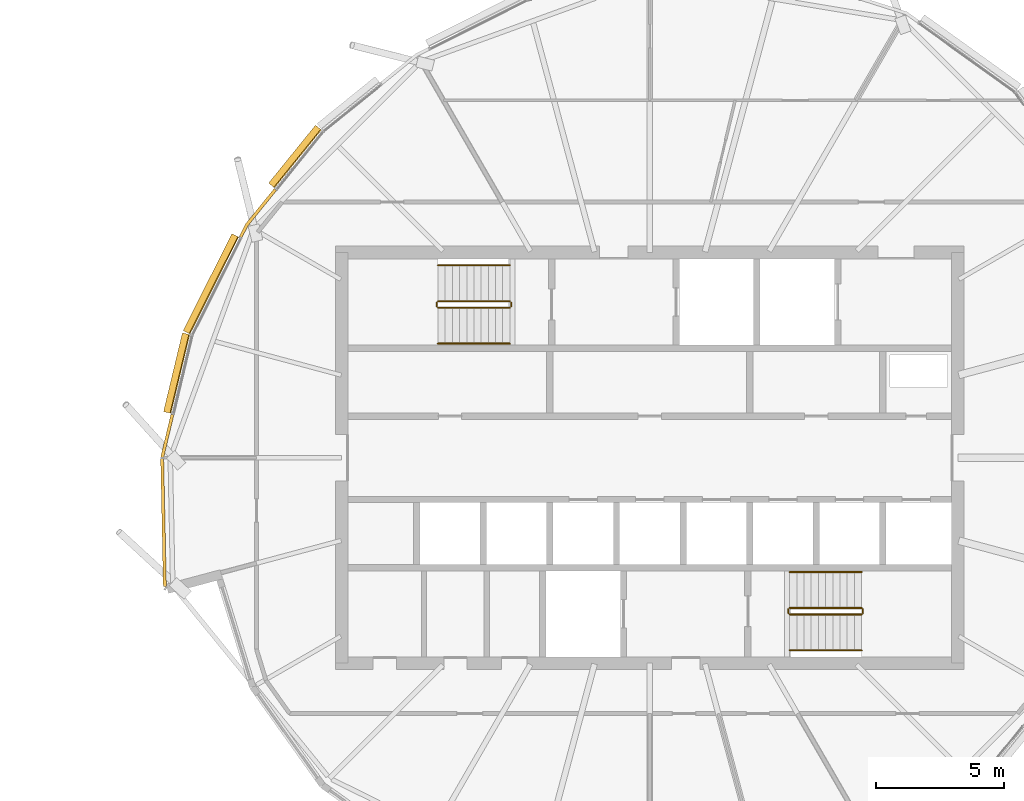
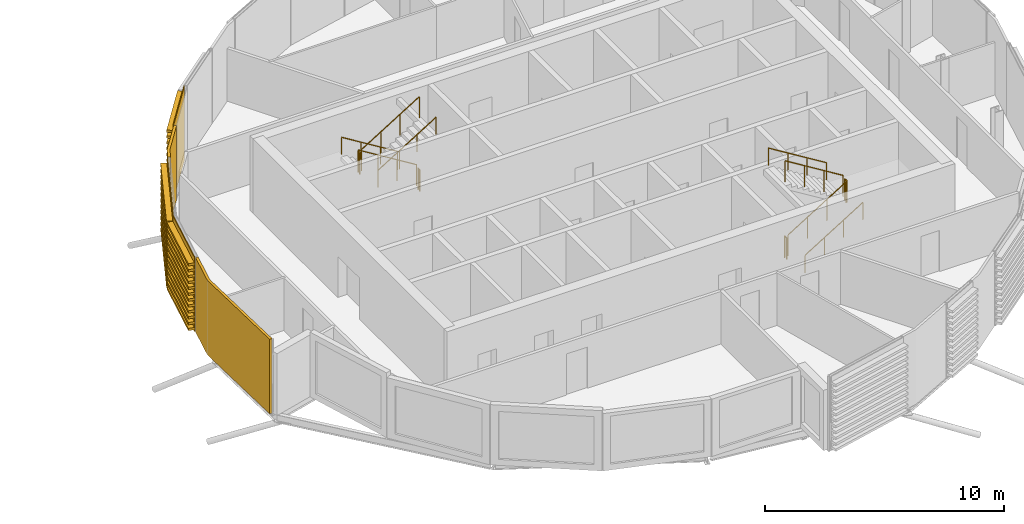
# One storey, part 33 of 34: 12 railings, 5 coverings.
"""IFC4 building model written with IfcOpenShell, lengths in metres."""

from ifc_helpers import new_model, si_unit, direction, frame, origin, origin_2d, place, context, subcontext, project, spatial, polyline, circle, outline, extrude, material, layer, layer_set, material_profile, profile_set, type_object, element, save


model = new_model("IFC4")

# Units and contexts
model_context = context("Model", 3, precision=1e-05, world=origin(), true_north=direction((0.0, 1.0)))
body_context = subcontext(model_context, "Body", "Model", "MODEL_VIEW")
ifc_project = project(units=[si_unit("LENGTHUNIT", "METRE"), si_unit("AREAUNIT", "SQUARE_METRE"), si_unit("VOLUMEUNIT", "CUBIC_METRE"), si_unit("PLANEANGLEUNIT", "RADIAN"), si_unit("MASSUNIT", "GRAM", prefix="KILO")], contexts=[model_context])

# Site, building, storey
site_placement = place(None, origin())
site = spatial("IfcSite", under=ifc_project, at=site_placement, CompositionType="ELEMENT")
building_placement = place(site_placement, origin())
building = spatial("IfcBuilding", under=site, at=building_placement, Name="Rimbun Link Towers", CompositionType="ELEMENT")
storey_placement = place(building_placement, frame((0.0, 0.0, 252.300048828125)))
storey = spatial("IfcBuildingStorey", under=building, at=storey_placement, Name="L62", CompositionType="ELEMENT", Elevation=252.300048828125)

# Coverings
ifc_material_1 = material(Name="Terracotta", Category="masonry")
ifc_layer = layer(ifc_material_1, 0.1201171875)
ifc_layer_set = layer_set([ifc_layer], Name="LINK PIER terracotta cladding 120")
covering_type_1 = type_object("IfcCoveringType", Name="LINK PIER terracotta cladding 120", PredefinedType="CLADDING", material=ifc_layer_set)
covering_1_placement = place(storey_placement, origin())
element("IfcCovering", 1, at=covering_1_placement, inside=storey, type_object=covering_type_1, Name="LINK PIER cladding", PredefinedType="CLADDING", context=body_context, shape_type="SweptSolid", body=[
    extrude(outline(polyline([(15.862060546875, 8.573486328125), (16.09521484375, 9.038330078125), (17.208984375, 10.4140625), (17.11572265625, 10.489501953125), (15.993896484375, 9.103759765625), (15.754638671875, 8.62744140625), (15.862060546875, 8.573486328125)])), origin(), (0.0, 0.0, 1.0), 3.800048828125),
])
covering_2_placement = place(storey_placement, origin())
element("IfcCovering", 2, at=covering_2_placement, inside=storey, type_object=covering_type_1, Name="LINK PIER cladding", PredefinedType="CLADDING", context=body_context, shape_type="SweptSolid", body=[
    extrude(outline(polyline([(12.91650390625, -5.016357421875), (12.810791015625, 0.0), (13.2109375, 1.6728515625), (13.09423828125, 1.70068359375), (12.6904296875, 0.012939453125), (12.79638671875, -5.018798828125), (12.91650390625, -5.016357421875)])), origin(), (0.0, 0.0, 1.0), 3.800048828125),
])

# Railings
ifc_material_2 = material(Name="Stainless steel grade 316", Category="steel")
railing_type_1 = type_object("IfcRailingType", Name="Stair guard", PredefinedType="GUARDRAIL", material=ifc_material_2)
railing_1_placement = place(storey_placement, frame((26.300048828125, 6.10009765625, 0.172607421875)))
element("IfcRailing", 3, at=railing_1_placement, inside=storey, type_object=railing_type_1, Name="L62 ST3 stair guard 1", PredefinedType="GUARDRAIL", context=body_context, shape_type="SweptSolid", body=[
    extrude(circle(Radius=0.02392578125, at=origin_2d()), frame((0.0, 0.0, 1.076171875), z_axis=(-0.851089632645, 0.0, 0.525020415988), x_axis=(0.0, -1.0, 0.0)), (0.0, 0.0, 1.0), 3.2900390625),
    extrude(circle(Radius=0.02099609375, at=origin_2d()), origin(), (0.0, 0.0, 1.0), 1.052001953125),
    extrude(circle(Radius=0.02099609375, at=origin_2d()), frame((-0.933349609375, 0.0, 0.57568359375)), (0.0, 0.0, 1.0), 1.052001953125),
    extrude(circle(Radius=0.02099609375, at=origin_2d()), frame((-1.86669921875, 0.0, 1.151611328125)), (0.0, 0.0, 1.0), 1.052001953125),
    extrude(circle(Radius=0.02099609375, at=origin_2d()), frame((-2.800048828125, 0.0, 1.727294921875)), (0.0, 0.0, 1.0), 1.052001953125),
])
railing_2_placement = place(storey_placement, frame((23.449951171875, 6.050048828125, 1.89990234375)))
element("IfcRailing", 4, at=railing_2_placement, inside=storey, type_object=railing_type_1, Name="L62 ST3 stair guard 2", PredefinedType="GUARDRAIL", context=body_context, shape_type="SweptSolid", body=[
    extrude(circle(Radius=0.02392578125, at=origin_2d()), frame((0.0, 0.0, 1.076171875), z_axis=(0.0, -1.0, 0.0), x_axis=(1.0, 0.0, 0.0)), (0.0, 0.0, 1.0), 0.150146484375),
    extrude(circle(Radius=0.02099609375, at=origin_2d()), origin(), (0.0, 0.0, 1.0), 1.052001953125),
    extrude(circle(Radius=0.02099609375, at=origin_2d()), frame((0.0, -0.150146484375, 0.0)), (0.0, 0.0, 1.0), 1.052001953125),
])
railing_3_placement = place(storey_placement, frame((23.5, 5.85009765625, 2.07275390625)))
element("IfcRailing", 5, at=railing_3_placement, inside=storey, type_object=railing_type_1, Name="L62 ST3 stair guard 3", PredefinedType="GUARDRAIL", context=body_context, shape_type="SweptSolid", body=[
    extrude(circle(Radius=0.02392578125, at=origin_2d()), frame((0.0, 0.0, 1.076171875), z_axis=(0.851089632645, 0.0, 0.525020415988), x_axis=(0.0, 1.0, 0.0)), (0.0, 0.0, 1.0), 3.2900390625),
    extrude(circle(Radius=0.02099609375, at=origin_2d()), origin(), (0.0, 0.0, 1.0), 1.052001953125),
    extrude(circle(Radius=0.02099609375, at=origin_2d()), frame((0.933349609375, 0.0, 0.57568359375)), (0.0, 0.0, 1.0), 1.052001953125),
    extrude(circle(Radius=0.02099609375, at=origin_2d()), frame((1.86669921875, 0.0, 1.151611328125)), (0.0, 0.0, 1.0), 1.052001953125),
    extrude(circle(Radius=0.02099609375, at=origin_2d()), frame((2.800048828125, 0.0, 1.727294921875)), (0.0, 0.0, 1.0), 1.052001953125),
])
railing_4_placement = place(storey_placement, frame((26.35009765625, 6.050048828125, 0.0)))
element("IfcRailing", 6, at=railing_4_placement, inside=storey, type_object=railing_type_1, Name="L62 ST3 stair guard 4", PredefinedType="GUARDRAIL", context=body_context, shape_type="SweptSolid", body=[
    extrude(circle(Radius=0.02392578125, at=origin_2d()), frame((0.0, 0.0, 1.076171875), z_axis=(0.0, -1.0, 0.0), x_axis=(1.0, 0.0, 0.0)), (0.0, 0.0, 1.0), 0.150146484375),
    extrude(circle(Radius=0.02099609375, at=origin_2d()), origin(), (0.0, 0.0, 1.0), 1.052001953125),
    extrude(circle(Radius=0.02099609375, at=origin_2d()), frame((0.0, -0.150146484375, 0.0)), (0.0, 0.0, 1.0), 1.052001953125),
])
railing_5_placement = place(storey_placement, frame((37.199951171875, -6.10009765625, 0.172607421875)))
element("IfcRailing", 7, at=railing_5_placement, inside=storey, type_object=railing_type_1, Name="L62 ST4 stair guard 1", PredefinedType="GUARDRAIL", context=body_context, shape_type="SweptSolid", body=[
    extrude(circle(Radius=0.02392578125, at=origin_2d()), frame((0.0, 0.0, 1.076171875), z_axis=(0.851089632645, 0.0, 0.525020415988), x_axis=(0.0, 1.0, 0.0)), (0.0, 0.0, 1.0), 3.2900390625),
    extrude(circle(Radius=0.02099609375, at=origin_2d()), origin(), (0.0, 0.0, 1.0), 1.052001953125),
    extrude(circle(Radius=0.02099609375, at=origin_2d()), frame((0.933349609375, 0.0, 0.57568359375)), (0.0, 0.0, 1.0), 1.052001953125),
    extrude(circle(Radius=0.02099609375, at=origin_2d()), frame((1.86669921875, 0.0, 1.151611328125)), (0.0, 0.0, 1.0), 1.052001953125),
    extrude(circle(Radius=0.02099609375, at=origin_2d()), frame((2.800048828125, 0.0, 1.727294921875)), (0.0, 0.0, 1.0), 1.052001953125),
])
railing_6_placement = place(storey_placement, frame((40.050048828125, -6.050048828125, 1.89990234375)))
element("IfcRailing", 8, at=railing_6_placement, inside=storey, type_object=railing_type_1, Name="L62 ST4 stair guard 2", PredefinedType="GUARDRAIL", context=body_context, shape_type="SweptSolid", body=[
    extrude(circle(Radius=0.02392578125, at=origin_2d()), frame((0.0, 0.0, 1.076171875), z_axis=(0.0, 1.0, 0.0), x_axis=(-1.0, 0.0, 0.0)), (0.0, 0.0, 1.0), 0.150146484375),
    extrude(circle(Radius=0.02099609375, at=origin_2d()), origin(), (0.0, 0.0, 1.0), 1.052001953125),
    extrude(circle(Radius=0.02099609375, at=origin_2d()), frame((0.0, 0.150146484375, 0.0)), (0.0, 0.0, 1.0), 1.052001953125),
])
railing_7_placement = place(storey_placement, frame((40.0, -5.85009765625, 2.07275390625)))
element("IfcRailing", 9, at=railing_7_placement, inside=storey, type_object=railing_type_1, Name="L62 ST4 stair guard 3", PredefinedType="GUARDRAIL", context=body_context, shape_type="SweptSolid", body=[
    extrude(circle(Radius=0.02392578125, at=origin_2d()), frame((0.0, 0.0, 1.076171875), z_axis=(-0.851089632645, 0.0, 0.525020415988), x_axis=(0.0, -1.0, 0.0)), (0.0, 0.0, 1.0), 3.2900390625),
    extrude(circle(Radius=0.02099609375, at=origin_2d()), origin(), (0.0, 0.0, 1.0), 1.052001953125),
    extrude(circle(Radius=0.02099609375, at=origin_2d()), frame((-0.933349609375, 0.0, 0.57568359375)), (0.0, 0.0, 1.0), 1.052001953125),
    extrude(circle(Radius=0.02099609375, at=origin_2d()), frame((-1.86669921875, 0.0, 1.151611328125)), (0.0, 0.0, 1.0), 1.052001953125),
    extrude(circle(Radius=0.02099609375, at=origin_2d()), frame((-2.800048828125, 0.0, 1.727294921875)), (0.0, 0.0, 1.0), 1.052001953125),
])
railing_8_placement = place(storey_placement, frame((37.14990234375, -6.050048828125, 0.0)))
element("IfcRailing", 10, at=railing_8_placement, inside=storey, type_object=railing_type_1, Name="L62 ST4 stair guard 4", PredefinedType="GUARDRAIL", context=body_context, shape_type="SweptSolid", body=[
    extrude(circle(Radius=0.02392578125, at=origin_2d()), frame((0.0, 0.0, 1.076171875), z_axis=(0.0, 1.0, 0.0), x_axis=(-1.0, 0.0, 0.0)), (0.0, 0.0, 1.0), 0.150146484375),
    extrude(circle(Radius=0.02099609375, at=origin_2d()), origin(), (0.0, 0.0, 1.0), 1.052001953125),
    extrude(circle(Radius=0.02099609375, at=origin_2d()), frame((0.0, 0.150146484375, 0.0)), (0.0, 0.0, 1.0), 1.052001953125),
])
ifc_material_3 = material(Name="Stainless steel grade 316", Category="steel")
railing_type_2 = type_object("IfcRailingType", Name="Stair handrail", PredefinedType="HANDRAIL", material=ifc_material_3)
railing_9_placement = place(storey_placement, frame((26.300048828125, 7.5, 0.172607421875)))
element("IfcRailing", 11, at=railing_9_placement, inside=storey, type_object=railing_type_2, Name="L62 ST3 stair handrail 1", PredefinedType="HANDRAIL", context=body_context, shape_type="SweptSolid", body=[
    extrude(circle(Radius=0.02392578125, at=origin_2d()), frame((0.0, 0.0, 0.8759765625), z_axis=(-0.851089632645, 0.0, 0.525020415988), x_axis=(0.0, -1.0, 0.0)), (0.0, 0.0, 1.0), 3.2900390625),
    extrude(circle(Radius=0.02099609375, at=origin_2d()), origin(), (0.0, 0.0, 1.0), 0.851806640625),
    extrude(circle(Radius=0.02099609375, at=origin_2d()), frame((-0.933349609375, 0.0, 0.57568359375)), (0.0, 0.0, 1.0), 0.851806640625),
    extrude(circle(Radius=0.02099609375, at=origin_2d()), frame((-1.86669921875, 0.0, 1.151611328125)), (0.0, 0.0, 1.0), 0.851806640625),
    extrude(circle(Radius=0.02099609375, at=origin_2d()), frame((-2.800048828125, 0.0, 1.727294921875)), (0.0, 0.0, 1.0), 0.851806640625),
])
for number, where, name in (
    (12, (23.5, 4.449951171875, 2.07275390625), "L62 ST3 stair handrail 2"),
    (13, (37.199951171875, -7.5, 0.172607421875), "L62 ST4 stair handrail 1"),
):
    element("IfcRailing", number, at=place(storey_placement, frame(where)), inside=storey, type_object=railing_type_2, Name=name, PredefinedType="HANDRAIL", context=body_context, shape_type="SweptSolid", body=[
        extrude(circle(Radius=0.02392578125, at=origin_2d()), frame((0.0, 0.0, 0.8759765625), z_axis=(0.851089632645, 0.0, 0.525020415988), x_axis=(0.0, 1.0, 0.0)), (0.0, 0.0, 1.0), 3.2900390625),
        extrude(circle(Radius=0.02099609375, at=origin_2d()), origin(), (0.0, 0.0, 1.0), 0.851806640625),
        extrude(circle(Radius=0.02099609375, at=origin_2d()), frame((0.933349609375, 0.0, 0.57568359375)), (0.0, 0.0, 1.0), 0.851806640625),
        extrude(circle(Radius=0.02099609375, at=origin_2d()), frame((1.86669921875, 0.0, 1.151611328125)), (0.0, 0.0, 1.0), 0.851806640625),
        extrude(circle(Radius=0.02099609375, at=origin_2d()), frame((2.800048828125, 0.0, 1.727294921875)), (0.0, 0.0, 1.0), 0.851806640625),
    ])
railing_10_placement = place(storey_placement, frame((40.0, -4.449951171875, 2.07275390625)))
element("IfcRailing", 14, at=railing_10_placement, inside=storey, type_object=railing_type_2, Name="L62 ST4 stair handrail 2", PredefinedType="HANDRAIL", context=body_context, shape_type="SweptSolid", body=[
    extrude(circle(Radius=0.02392578125, at=origin_2d()), frame((0.0, 0.0, 0.8759765625), z_axis=(-0.851089632645, 0.0, 0.525020415988), x_axis=(0.0, -1.0, 0.0)), (0.0, 0.0, 1.0), 3.2900390625),
    extrude(circle(Radius=0.02099609375, at=origin_2d()), origin(), (0.0, 0.0, 1.0), 0.851806640625),
    extrude(circle(Radius=0.02099609375, at=origin_2d()), frame((-0.933349609375, 0.0, 0.57568359375)), (0.0, 0.0, 1.0), 0.851806640625),
    extrude(circle(Radius=0.02099609375, at=origin_2d()), frame((-1.86669921875, 0.0, 1.151611328125)), (0.0, 0.0, 1.0), 0.851806640625),
    extrude(circle(Radius=0.02099609375, at=origin_2d()), frame((-2.800048828125, 0.0, 1.727294921875)), (0.0, 0.0, 1.0), 0.851806640625),
])

# Coverings
ifc_material_4 = material(Name="Terracotta", Category="masonry")
ifc_material_profile = material_profile(ifc_material_4, outline(polyline([(0.123046875, 0.0), (0.1630859375, 0.0), (0.1630859375, 0.10009765625), (0.423095703125, 0.10009765625), (0.423095703125, 0.219970703125), (0.1630859375, 0.219970703125), (0.1630859375, 0.39990234375), (0.423095703125, 0.39990234375), (0.423095703125, 0.52001953125), (0.1630859375, 0.52001953125), (0.1630859375, 0.699951171875), (0.423095703125, 0.699951171875), (0.423095703125, 0.820068359375), (0.1630859375, 0.820068359375), (0.1630859375, 1.0), (0.423095703125, 1.0), (0.423095703125, 1.1201171875), (0.1630859375, 1.1201171875), (0.1630859375, 1.300048828125), (0.423095703125, 1.300048828125), (0.423095703125, 1.419921875), (0.1630859375, 1.419921875), (0.1630859375, 1.60009765625), (0.423095703125, 1.60009765625), (0.423095703125, 1.719970703125), (0.1630859375, 1.719970703125), (0.1630859375, 1.89990234375), (0.423095703125, 1.89990234375), (0.423095703125, 2.02001953125), (0.1630859375, 2.02001953125), (0.1630859375, 2.199951171875), (0.423095703125, 2.199951171875), (0.423095703125, 2.320068359375), (0.1630859375, 2.320068359375), (0.1630859375, 2.5), (0.423095703125, 2.5), (0.423095703125, 2.6201171875), (0.1630859375, 2.6201171875), (0.1630859375, 2.800048828125), (0.423095703125, 2.800048828125), (0.423095703125, 2.919921875), (0.1630859375, 2.919921875), (0.1630859375, 3.10009765625), (0.423095703125, 3.10009765625), (0.423095703125, 3.219970703125), (0.1630859375, 3.219970703125), (0.1630859375, 3.39990234375), (0.423095703125, 3.39990234375), (0.423095703125, 3.52001953125), (0.1630859375, 3.52001953125), (0.1630859375, 3.800048828125), (0.123046875, 3.800048828125), (0.123046875, 0.0)])), Name="BAGUETTE 120X300")
ifc_profile_set = profile_set([ifc_material_profile], Name="Terracotta")
covering_type_2 = type_object("IfcCoveringType", Name="TERRACOTTA BAGUETTE 120X300 H3800", PredefinedType="CLADDING", material=ifc_profile_set)
covering_3_placement = place(storey_placement, frame((17.227783203125, 10.4375, 0.0), z_axis=(0.629205483323, 0.777238997836, 0.0), x_axis=(-0.777238997836, 0.629205483323, 0.0)))
element("IfcCovering", 15, at=covering_3_placement, inside=storey, type_object=covering_type_2, Name="TERRACOTTA BAGUETTE", PredefinedType="CLADDING", context=body_context, shape_type="SweptSolid", body=[
    extrude(outline(polyline([(0.123046875, 0.0), (0.1630859375, 0.0), (0.1630859375, 0.10009765625), (0.423095703125, 0.10009765625), (0.423095703125, 0.219970703125), (0.1630859375, 0.219970703125), (0.1630859375, 0.39990234375), (0.423095703125, 0.39990234375), (0.423095703125, 0.52001953125), (0.1630859375, 0.52001953125), (0.1630859375, 0.699951171875), (0.423095703125, 0.699951171875), (0.423095703125, 0.820068359375), (0.1630859375, 0.820068359375), (0.1630859375, 1.0), (0.423095703125, 1.0), (0.423095703125, 1.1201171875), (0.1630859375, 1.1201171875), (0.1630859375, 1.300048828125), (0.423095703125, 1.300048828125), (0.423095703125, 1.419921875), (0.1630859375, 1.419921875), (0.1630859375, 1.60009765625), (0.423095703125, 1.60009765625), (0.423095703125, 1.719970703125), (0.1630859375, 1.719970703125), (0.1630859375, 1.89990234375), (0.423095703125, 1.89990234375), (0.423095703125, 2.02001953125), (0.1630859375, 2.02001953125), (0.1630859375, 2.199951171875), (0.423095703125, 2.199951171875), (0.423095703125, 2.320068359375), (0.1630859375, 2.320068359375), (0.1630859375, 2.5), (0.423095703125, 2.5), (0.423095703125, 2.6201171875), (0.1630859375, 2.6201171875), (0.1630859375, 2.800048828125), (0.423095703125, 2.800048828125), (0.423095703125, 2.919921875), (0.1630859375, 2.919921875), (0.1630859375, 3.10009765625), (0.423095703125, 3.10009765625), (0.423095703125, 3.219970703125), (0.1630859375, 3.219970703125), (0.1630859375, 3.39990234375), (0.423095703125, 3.39990234375), (0.423095703125, 3.52001953125), (0.1630859375, 3.52001953125), (0.1630859375, 3.800048828125), (0.123046875, 3.800048828125), (0.123046875, 0.0)])), origin(), (0.0, 0.0, 1.0), 2.904296875),
])
covering_4_placement = place(storey_placement, frame((13.951416015625, 4.76904296875, 0.0), z_axis=(0.448737614092, 0.89366355733, 0.0), x_axis=(-0.89366355733, 0.448737614092, 0.0)))
element("IfcCovering", 16, at=covering_4_placement, inside=storey, type_object=covering_type_2, Name="TERRACOTTA BAGUETTE", PredefinedType="CLADDING", context=body_context, shape_type="SweptSolid", body=[
    extrude(outline(polyline([(0.123046875, 0.0), (0.1630859375, 0.0), (0.1630859375, 0.10009765625), (0.423095703125, 0.10009765625), (0.423095703125, 0.219970703125), (0.1630859375, 0.219970703125), (0.1630859375, 0.39990234375), (0.423095703125, 0.39990234375), (0.423095703125, 0.52001953125), (0.1630859375, 0.52001953125), (0.1630859375, 0.699951171875), (0.423095703125, 0.699951171875), (0.423095703125, 0.820068359375), (0.1630859375, 0.820068359375), (0.1630859375, 1.0), (0.423095703125, 1.0), (0.423095703125, 1.1201171875), (0.1630859375, 1.1201171875), (0.1630859375, 1.300048828125), (0.423095703125, 1.300048828125), (0.423095703125, 1.419921875), (0.1630859375, 1.419921875), (0.1630859375, 1.60009765625), (0.423095703125, 1.60009765625), (0.423095703125, 1.719970703125), (0.1630859375, 1.719970703125), (0.1630859375, 1.89990234375), (0.423095703125, 1.89990234375), (0.423095703125, 2.02001953125), (0.1630859375, 2.02001953125), (0.1630859375, 2.199951171875), (0.423095703125, 2.199951171875), (0.423095703125, 2.320068359375), (0.1630859375, 2.320068359375), (0.1630859375, 2.5), (0.423095703125, 2.5), (0.423095703125, 2.6201171875), (0.1630859375, 2.6201171875), (0.1630859375, 2.800048828125), (0.423095703125, 2.800048828125), (0.423095703125, 2.919921875), (0.1630859375, 2.919921875), (0.1630859375, 3.10009765625), (0.423095703125, 3.10009765625), (0.423095703125, 3.219970703125), (0.1630859375, 3.219970703125), (0.1630859375, 3.39990234375), (0.423095703125, 3.39990234375), (0.423095703125, 3.52001953125), (0.1630859375, 3.52001953125), (0.1630859375, 3.800048828125), (0.123046875, 3.800048828125), (0.123046875, 0.0)])), origin(), (0.0, 0.0, 1.0), 4.227294921875),
])
covering_5_placement = place(storey_placement, frame((13.2177734375, 1.701904296875, 0.0), z_axis=(0.232632113265, 0.972564804976, 0.0), x_axis=(-0.972564804976, 0.232632113265, 0.0)))
element("IfcCovering", 17, at=covering_5_placement, inside=storey, type_object=covering_type_2, Name="TERRACOTTA BAGUETTE", PredefinedType="CLADDING", context=body_context, shape_type="SweptSolid", body=[
    extrude(outline(polyline([(0.123046875, 0.0), (0.1630859375, 0.0), (0.1630859375, 0.10009765625), (0.423095703125, 0.10009765625), (0.423095703125, 0.219970703125), (0.1630859375, 0.219970703125), (0.1630859375, 0.39990234375), (0.423095703125, 0.39990234375), (0.423095703125, 0.52001953125), (0.1630859375, 0.52001953125), (0.1630859375, 0.699951171875), (0.423095703125, 0.699951171875), (0.423095703125, 0.820068359375), (0.1630859375, 0.820068359375), (0.1630859375, 1.0), (0.423095703125, 1.0), (0.423095703125, 1.1201171875), (0.1630859375, 1.1201171875), (0.1630859375, 1.300048828125), (0.423095703125, 1.300048828125), (0.423095703125, 1.419921875), (0.1630859375, 1.419921875), (0.1630859375, 1.60009765625), (0.423095703125, 1.60009765625), (0.423095703125, 1.719970703125), (0.1630859375, 1.719970703125), (0.1630859375, 1.89990234375), (0.423095703125, 1.89990234375), (0.423095703125, 2.02001953125), (0.1630859375, 2.02001953125), (0.1630859375, 2.199951171875), (0.423095703125, 2.199951171875), (0.423095703125, 2.320068359375), (0.1630859375, 2.320068359375), (0.1630859375, 2.5), (0.423095703125, 2.5), (0.423095703125, 2.6201171875), (0.1630859375, 2.6201171875), (0.1630859375, 2.800048828125), (0.423095703125, 2.800048828125), (0.423095703125, 2.919921875), (0.1630859375, 2.919921875), (0.1630859375, 3.10009765625), (0.423095703125, 3.10009765625), (0.423095703125, 3.219970703125), (0.1630859375, 3.219970703125), (0.1630859375, 3.39990234375), (0.423095703125, 3.39990234375), (0.423095703125, 3.52001953125), (0.1630859375, 3.52001953125), (0.1630859375, 3.800048828125), (0.123046875, 3.800048828125), (0.123046875, 0.0)])), origin(), (0.0, 0.0, 1.0), 3.153564453125),
])

save(model, "model.ifc")
